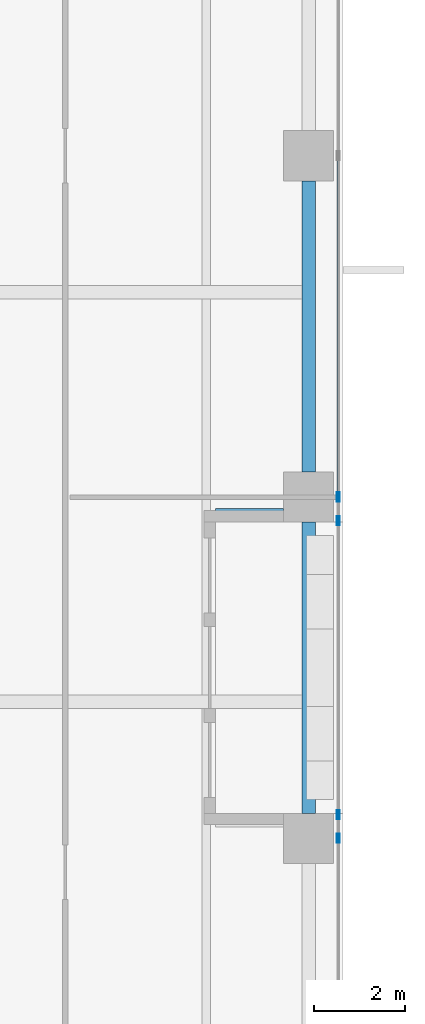
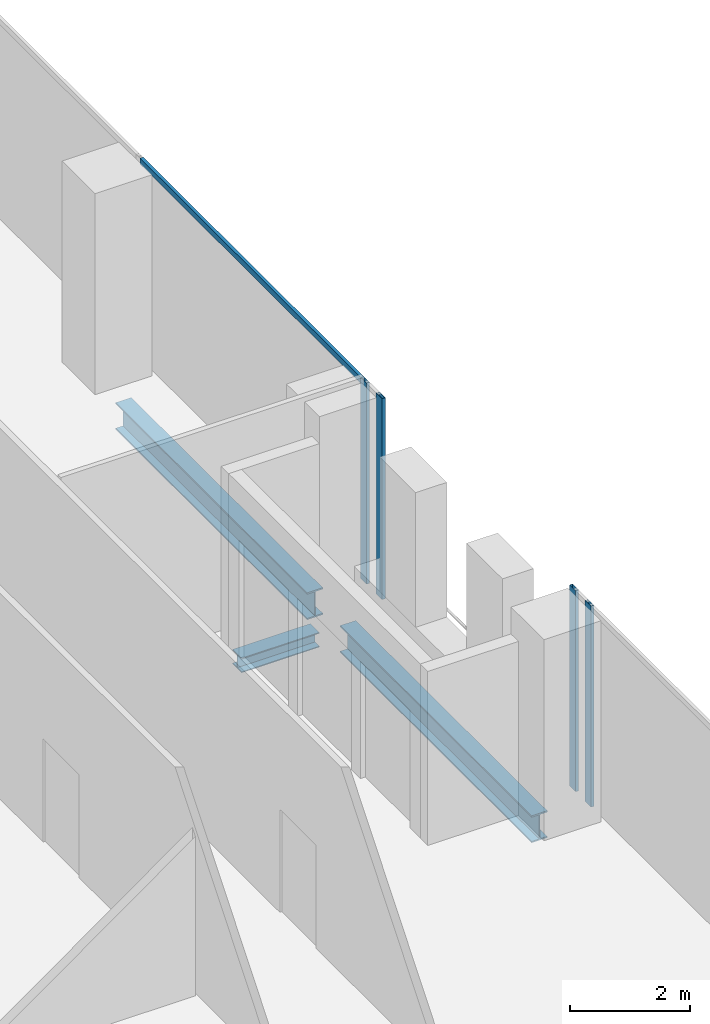
# One storey, part 13 of 34: 5 members, 3 beams, 2 elements without a shape of their own.
"""IFC4 building model written with IfcOpenShell, lengths in metres."""

from ifc_helpers import new_model, si_unit, direction, frame, origin, origin_2d, place, context, subcontext, project, spatial, hollow_rectangle, i_section, extrude, source, transform, mapped, material, material_profile, profile_set, type_object, element, aggregate, save


model = new_model("IFC4")

# Units and contexts
model_context = context("Model", 3, precision=1e-05, world=origin(), true_north=direction((0.0, 1.0)))
body_context = subcontext(model_context, "Body", "Model", "MODEL_VIEW")
ifc_project = project(units=[si_unit("LENGTHUNIT", "METRE"), si_unit("AREAUNIT", "SQUARE_METRE"), si_unit("VOLUMEUNIT", "CUBIC_METRE"), si_unit("PLANEANGLEUNIT", "RADIAN"), si_unit("MASSUNIT", "GRAM", prefix="KILO")], contexts=[model_context])

# Site, building, storey
site_placement = place(None, origin())
site = spatial("IfcSite", under=ifc_project, at=site_placement, CompositionType="ELEMENT")
building_placement = place(site_placement, origin())
building = spatial("IfcBuilding", under=site, at=building_placement, Name="Khomas Fold Tower", CompositionType="ELEMENT")
storey_placement = place(building_placement, frame((0.0, 0.0, 110.300048828125)))
storey = spatial("IfcBuildingStorey", under=building, at=storey_placement, Name="L23", CompositionType="ELEMENT", Elevation=110.300048828125)

# Beams
ifc_material_1 = material(Name="Steel S355", Category="steel")
ifc_material_profile_1 = material_profile(ifc_material_1, i_section(OverallWidth=0.300048828125, OverallDepth=0.550048828125, WebThickness=0.014892578125, FlangeThickness=0.029052734375, at=origin_2d()), Name="HE 550 B")
ifc_profile_set_1 = profile_set([ifc_material_profile_1], Name="Steel S355")
beam_type_1 = type_object("IfcBeamType", Name="HE 550 B spandrel SB2", PredefinedType="SPANDREL", material=ifc_profile_set_1)
shared_shape_1 = source(origin(), body_context, "Body", "SweptSolid", [
    extrude(i_section(OverallWidth=0.300048828125, OverallDepth=0.550048828125, WebThickness=0.014892578125, FlangeThickness=0.029052734375, at=origin_2d()), origin(), (0.0, 0.0, 1.0), 6.39990234375),
])
for number, where, z_axis, x_axis, name in (
    (1, (51.75, 20.050048828125, -0.574951171875), (0.0, 1.0, 0.0), (-1.0, 0.0, 0.0), "SB2"),
    (2, (51.75, 27.550048828125, -0.574951171875), (0.0, 1.0, 0.0), (-1.0, 0.0, 0.0), "SB2"),
):
    element("IfcBeam", number, at=place(storey_placement, frame(where, z_axis=z_axis, x_axis=x_axis)), inside=storey, type_object=beam_type_1, Name=name, PredefinedType="SPANDREL", context=body_context, shape_type="MappedRepresentation", body=[
        mapped(shared_shape_1, transform((0.0, 0.0, 0.0))),
    ])
ifc_material_2 = material(Name="Steel S355", Category="steel")
ifc_material_profile_2 = material_profile(ifc_material_2, i_section(OverallWidth=0.300048828125, OverallDepth=0.300048828125, WebThickness=0.010986328125, FlangeThickness=0.01904296875, at=origin_2d()), Name="HE 300 B")
ifc_profile_set_2 = profile_set([ifc_material_profile_2], Name="Steel S355")
beam_type_2 = type_object("IfcBeamType", Name="HE 300 B beam BB1", PredefinedType="BEAM", material=ifc_profile_set_2)
shared_shape_2 = source(origin(), body_context, "Body", "SweptSolid", [
    extrude(i_section(OverallWidth=0.300048828125, OverallDepth=0.300048828125, WebThickness=0.010986328125, FlangeThickness=0.01904296875, at=origin_2d()), origin(), (0.0, 0.0, 1.0), 1.5),
])
beam_placement = place(storey_placement, frame((49.699951171875, 26.60009765625, -0.449951171875), z_axis=(1.0, 0.0, 0.0), x_axis=(0.0, 1.0, 0.0)))
element("IfcBeam", 3, at=beam_placement, inside=storey, type_object=beam_type_2, Name="BB1", PredefinedType="BEAM", context=body_context, shape_type="MappedRepresentation", body=[
    mapped(shared_shape_2, transform((0.0, 0.0, 0.0))),
])

# Curtain wall, member
ifc_material_3 = material(Name="Aluminium framed double glazing", Category="aluminium")
curtain_wall_type = type_object("IfcCurtainWallType", Name="SK-Unitised clear-glass wall, growing floors CW1", PredefinedType="NOTDEFINED", material=ifc_material_3)
curtain_wall_1_placement = place(storey_placement, origin())
curtain_wall_1 = element("IfcCurtainWall", 4, at=curtain_wall_1_placement, inside=storey, type_object=curtain_wall_type, Name="CW1 run L23 03-1", PredefinedType="NOTDEFINED")
ifc_material_4 = material(Name="Aluminium", Category="aluminium")
ifc_material_profile_3 = material_profile(ifc_material_4, hollow_rectangle(XDim=0.06005859375, YDim=0.1201171875, WallThickness=0.00390625, at=origin_2d()), Name="SK-Unitised clear-glass wall, growing floors transom CW1-T")
ifc_profile_set_3 = profile_set([ifc_material_profile_3], Name="Aluminium")
member_type_1 = type_object("IfcMemberType", Name="SK-Unitised clear-glass wall, growing floors transom CW1-T", PredefinedType="USERDEFINED", material=ifc_profile_set_3)
shared_shape_3 = source(origin(), body_context, "Body", "SweptSolid", [
    extrude(hollow_rectangle(XDim=0.06005859375, YDim=0.1201171875, WallThickness=0.00390625, at=origin_2d()), origin(), (0.0, 0.0, 1.0), 7.43994140625),
])
member_1_placement = place(storey_placement, frame((52.39990234375, 27.030029296875, 4.0400390625), z_axis=(0.0, 1.0, 0.0), x_axis=(-1.0, 0.0, 0.0)))
member_1 = element("IfcMember", 5, at=member_1_placement, type_object=member_type_1, Name="CW1 transom 2", ObjectType="TRANSOM", PredefinedType="USERDEFINED", context=body_context, shape_type="MappedRepresentation", body=[
    mapped(shared_shape_3, transform((0.0, 0.0, 0.0))),
])

# Curtain wall, members
curtain_wall_2_placement = place(storey_placement, origin())
curtain_wall_2 = element("IfcCurtainWall", 6, at=curtain_wall_2_placement, inside=storey, type_object=curtain_wall_type, Name="CW1 run L23 03-0", PredefinedType="NOTDEFINED")
ifc_material_5 = material(Name="Aluminium", Category="aluminium")
ifc_material_profile_4 = material_profile(ifc_material_5, hollow_rectangle(XDim=0.06005859375, YDim=0.199951171875, WallThickness=0.00390625, at=origin_2d()), Name="SK-Unitised clear-glass wall, growing floors mullion CW1-M")
ifc_profile_set_4 = profile_set([ifc_material_profile_4], Name="Aluminium")
member_type_2 = type_object("IfcMemberType", Name="SK-Unitised clear-glass wall, growing floors mullion CW1-M", PredefinedType="MULLION", material=ifc_profile_set_4)
shared_shape_4 = source(origin(), body_context, "Body", "SweptSolid", [
    extrude(hollow_rectangle(XDim=0.06005859375, YDim=0.199951171875, WallThickness=0.00390625, at=origin_2d()), origin(), (0.0, 0.0, 1.0), 4.099853515625),
])
member_2_placement = place(storey_placement, frame((52.39990234375, 19.5, 0.0), z_axis=(0.0, 0.0, 1.0), x_axis=(-1.0, 0.0, 0.0)))
member_2 = element("IfcMember", 7, at=member_2_placement, type_object=member_type_2, Name="CW1 mullion 4", PredefinedType="MULLION", context=body_context, shape_type="MappedRepresentation", body=[
    mapped(shared_shape_4, transform((0.0, 0.0, 0.0))),
])
member_3_placement = place(storey_placement, frame((52.39990234375, 20.02001953125, 0.0), z_axis=(0.0, 0.0, 1.0), x_axis=(-1.0, 0.0, 0.0)))
member_3 = element("IfcMember", 8, at=member_3_placement, type_object=member_type_2, Name="CW1 mullion 5", PredefinedType="MULLION", context=body_context, shape_type="MappedRepresentation", body=[
    mapped(shared_shape_4, transform((0.0, 0.0, 0.0))),
])
aggregate(curtain_wall_2, [member_2, member_3])

# Member
member_4_placement = place(storey_placement, frame((52.39990234375, 26.47998046875, 0.0), z_axis=(0.0, 0.0, 1.0), x_axis=(-1.0, 0.0, 0.0)))
member_4 = element("IfcMember", 9, at=member_4_placement, type_object=member_type_2, Name="CW1 mullion 1", PredefinedType="MULLION", context=body_context, shape_type="MappedRepresentation", body=[
    mapped(shared_shape_4, transform((0.0, 0.0, 0.0))),
])

member_5_placement = place(storey_placement, frame((52.39990234375, 27.0, 0.0), z_axis=(0.0, 0.0, 1.0), x_axis=(-1.0, 0.0, 0.0)))
member_5 = element("IfcMember", 10, at=member_5_placement, type_object=member_type_2, Name="CW1 mullion 2", PredefinedType="MULLION", context=body_context, shape_type="MappedRepresentation", body=[
    mapped(shared_shape_4, transform((0.0, 0.0, 0.0))),
])

aggregate(curtain_wall_1, [member_4, member_5, member_1])

save(model, "model.ifc")
